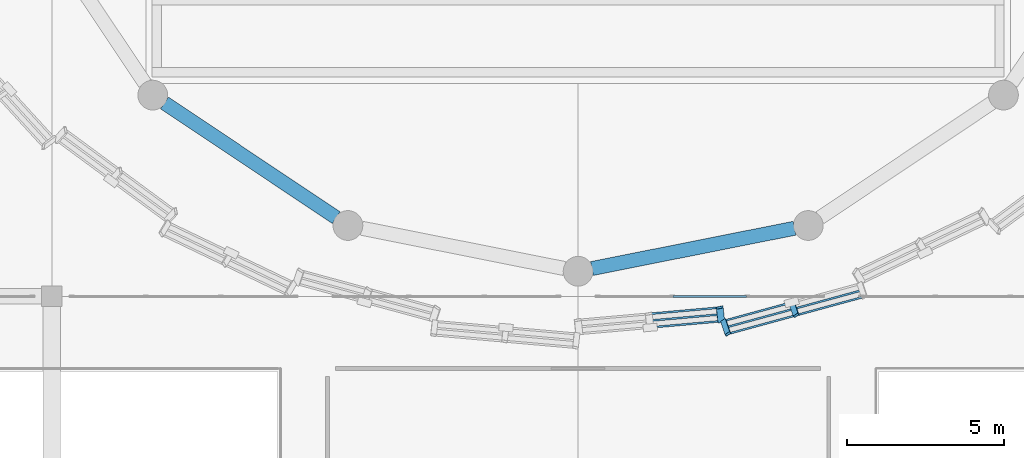
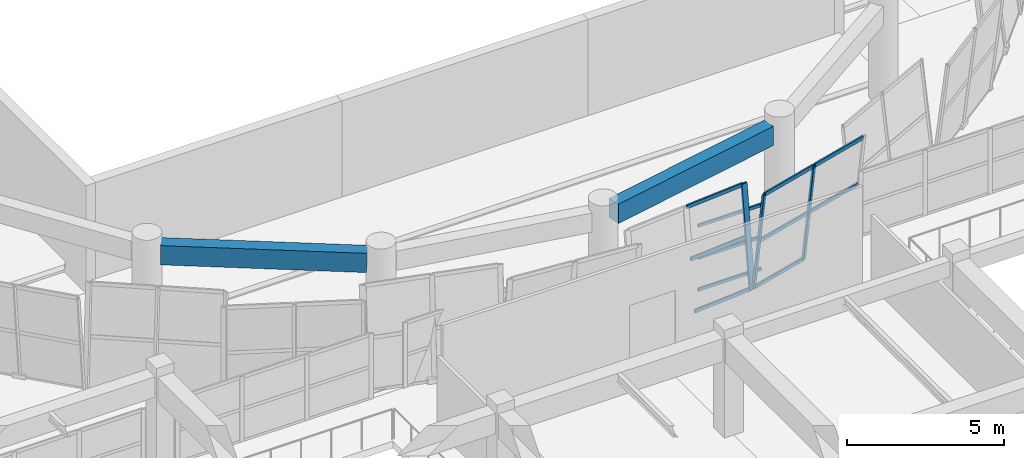
# One storey, part 25 of 71: 14 members, 2 beams, 3 elements without a shape of their own.
"""IFC4 building model written with IfcOpenShell, lengths in metres."""

from ifc_helpers import new_model, si_unit, direction, frame, origin, origin_2d, place, context, subcontext, project, spatial, rectangle, hollow_rectangle, extrude, material, material_profile, profile_set, type_object, element, aggregate, save


model = new_model("IFC4")

# Units and contexts
model_context = context("Model", 3, precision=1e-05, world=origin(), true_north=direction((0.0, 1.0)))
body_context = subcontext(model_context, "Body", "Model", "MODEL_VIEW")
ifc_project = project(units=[si_unit("LENGTHUNIT", "METRE"), si_unit("AREAUNIT", "SQUARE_METRE"), si_unit("VOLUMEUNIT", "CUBIC_METRE"), si_unit("PLANEANGLEUNIT", "RADIAN"), si_unit("MASSUNIT", "GRAM", prefix="KILO")], contexts=[model_context])

# Site, building, storey
site_placement = place(None, origin())
site = spatial("IfcSite", under=ifc_project, at=site_placement, CompositionType="ELEMENT")
building_placement = place(site_placement, origin())
building = spatial("IfcBuilding", under=site, at=building_placement, Name="Korsvaeld Concert Hall", CompositionType="ELEMENT")
storey_placement = place(building_placement, frame((0.0, 0.0, 4.800048828125)))
storey = spatial("IfcBuildingStorey", under=building, at=storey_placement, Name="L01", CompositionType="ELEMENT", Elevation=4.800048828125)

# Beams
ifc_material_1 = material(Name="Concrete C35/45", Category="concrete")
ifc_material_profile_1 = material_profile(ifc_material_1, rectangle(XDim=0.449951171875, YDim=0.75, at=origin_2d()), Name="RC 450x750")
ifc_profile_set_1 = profile_set([ifc_material_profile_1], Name="Concrete C35/45")
beam_type = type_object("IfcBeamType", Name="BM-RC-450x750", PredefinedType="T_BEAM", material=ifc_profile_set_1)
beam_1_placement = place(storey_placement, frame((70.797607421875, 49.37353515625, 3.46484375), z_axis=(0.831468624109, -0.555571711953, 0.0), x_axis=(0.555571711953, 0.831468624109, 0.0)))
element("IfcBeam", 1, at=beam_1_placement, inside=storey, type_object=beam_type, Name="Drum ring floor girder L01 11", PredefinedType="T_BEAM", context=body_context, shape_type="SweptSolid", body=[
    extrude(rectangle(XDim=0.449951171875, YDim=0.75, at=origin_2d()), origin(), (0.0, 0.0, 1.0), 6.591552734375),
])
beam_2_placement = place(storey_placement, frame((84.44140625, 44.087890625, 3.46484375), z_axis=(0.980785284484, 0.195090301499, 0.0), x_axis=(-0.195090301499, 0.980785284484, 0.0)))
element("IfcBeam", 2, at=beam_2_placement, inside=storey, type_object=beam_type, Name="Drum ring floor girder L01 13", PredefinedType="T_BEAM", context=body_context, shape_type="SweptSolid", body=[
    extrude(rectangle(XDim=0.449951171875, YDim=0.75, at=origin_2d()), origin(), (0.0, 0.0, 1.0), 6.59130859375),
])

# Curtain wall, members
ifc_material_2 = material(Name="Anodised bronze and ceramic-fritted safety glass", Category="glass")
curtain_wall_type_1 = type_object("IfcCurtainWallType", Name="CW-TYPE-02", PredefinedType="USERDEFINED", material=ifc_material_2)
curtain_wall_1_placement = place(storey_placement, origin())
curtain_wall_1 = element("IfcCurtainWall", 3, at=curtain_wall_1_placement, inside=storey, type_object=curtain_wall_type_1, Name="Crystal curtain-wall facet L01 F26", ObjectType="CURTAIN WALL", PredefinedType="USERDEFINED")
ifc_material_3 = material(Name="Anodised architectural bronze aluminium", Category="aluminium")
ifc_material_profile_2 = material_profile(ifc_material_3, hollow_rectangle(XDim=0.074951171875, YDim=0.179931640625, WallThickness=0.0048828125, at=origin_2d()), Name="CWM 180x75x5")
ifc_profile_set_2 = profile_set([ifc_material_profile_2], Name="Anodised architectural bronze aluminium")
member_type_1 = type_object("IfcMemberType", Name="CWM-BRONZE-180x75", PredefinedType="MULLION", material=ifc_profile_set_2)
member_1_placement = place(storey_placement, frame((88.640380859375, 42.417236328125, 0.0), z_axis=(0.036199370674, -0.107222660976, 0.993575818212), x_axis=(-0.55573373549, 0.824159071594, 0.109187178494)))
member_1 = element("IfcMember", 4, at=member_1_placement, type_object=member_type_1, Name="CW-CRYS-L01-F26 crystal mullion 1", PredefinedType="MULLION", context=body_context, shape_type="SweptSolid", body=[
    extrude(hollow_rectangle(XDim=0.074951171875, YDim=0.179931640625, WallThickness=0.0048828125, at=origin_2d()), origin(), (0.0, 0.0, 1.0), 3.905029296875),
])
member_2_placement = place(storey_placement, frame((90.817626953125, 43.010498046875, 0.0), z_axis=(0.036261809037, -0.107222418101, 0.993573567614), x_axis=(-0.556164276889, 0.823866065586, 0.109206241069)))
member_2 = element("IfcMember", 5, at=member_2_placement, type_object=member_type_1, Name="CW-CRYS-L01-F26 crystal mullion 2", PredefinedType="MULLION", context=body_context, shape_type="SweptSolid", body=[
    extrude(hollow_rectangle(XDim=0.074951171875, YDim=0.179931640625, WallThickness=0.0048828125, at=origin_2d()), origin(), (0.0, 0.0, 1.0), 3.905029296875),
])

# Curtain wall, member
curtain_wall_type_2 = type_object("IfcCurtainWallType", Name="CW-TYPE-01", PredefinedType="USERDEFINED", material=ifc_material_2)
curtain_wall_2_placement = place(storey_placement, origin())
curtain_wall_2 = element("IfcCurtainWall", 6, at=curtain_wall_2_placement, inside=storey, type_object=curtain_wall_type_2, Name="Crystal curtain-wall facet L01 F25", ObjectType="CURTAIN WALL", PredefinedType="USERDEFINED")
ifc_material_profile_3 = material_profile(ifc_material_3, hollow_rectangle(XDim=0.074951171875, YDim=0.219970703125, WallThickness=0.006103515625, at=origin_2d()), Name="CWM 220x75x6")
ifc_profile_set_3 = profile_set([ifc_material_profile_3], Name="Anodised architectural bronze aluminium")
member_type_2 = type_object("IfcMemberType", Name="CWM-BRONZE-220x75", PredefinedType="MULLION", material=ifc_profile_set_3)
member_3_placement = place(storey_placement, frame((88.566650390625, 42.404052734375, 0.0), z_axis=(-0.0123164825, 0.112536388326, 0.993571268486), x_axis=(0.195293442092, -0.974240168355, 0.11276775177)))
member_3 = element("IfcMember", 7, at=member_3_placement, type_object=member_type_2, Name="CW-CRYS-L01-F25 crystal mullion 3", PredefinedType="MULLION", context=body_context, shape_type="SweptSolid", body=[
    extrude(hollow_rectangle(XDim=0.074951171875, YDim=0.219970703125, WallThickness=0.006103515625, at=origin_2d()), origin(), (0.0, 0.0, 1.0), 3.905029296875),
])

# Curtain wall, members
curtain_wall_type_3 = type_object("IfcCurtainWallType", Name="CW-TYPE-12", PredefinedType="USERDEFINED", material=ifc_material_2)
curtain_wall_3_placement = place(storey_placement, origin())
curtain_wall_3 = element("IfcCurtainWall", 8, at=curtain_wall_3_placement, inside=storey, type_object=curtain_wall_type_3, Name="Glazed foyer acoustic screen L01-28", ObjectType="CURTAIN WALL", PredefinedType="USERDEFINED")
ifc_material_profile_4 = material_profile(ifc_material_3, hollow_rectangle(XDim=0.06005859375, YDim=0.1201171875, WallThickness=0.00390625, at=origin_2d()), Name="CWT 120x60x4")
ifc_profile_set_4 = profile_set([ifc_material_profile_4], Name="Anodised architectural bronze aluminium")
member_type_3 = type_object("IfcMemberType", Name="CWT-ALUM-120x60", PredefinedType="USERDEFINED", material=ifc_profile_set_4)
member_4_placement = place(storey_placement, frame((87.030029296875, 43.199951171875, 0.030029296875), z_axis=(1.0, 0.0, 0.0), x_axis=(0.0, 1.0, 0.0)))
member_4 = element("IfcMember", 9, at=member_4_placement, type_object=member_type_3, Name="CW-12 transom 2.1", ObjectType="TRANSOM", PredefinedType="USERDEFINED", context=body_context, shape_type="SweptSolid", body=[
    extrude(hollow_rectangle(XDim=0.06005859375, YDim=0.1201171875, WallThickness=0.00390625, at=origin_2d()), origin(), (0.0, 0.0, 1.0), 2.340087890625),
])
member_5_placement = place(storey_placement, frame((87.030029296875, 43.199951171875, 1.27490234375), z_axis=(1.0, 0.0, 0.0), x_axis=(0.0, 1.0, 0.0)))
member_5 = element("IfcMember", 10, at=member_5_placement, type_object=member_type_3, Name="CW-12 transom 2.2", ObjectType="TRANSOM", PredefinedType="USERDEFINED", context=body_context, shape_type="SweptSolid", body=[
    extrude(hollow_rectangle(XDim=0.06005859375, YDim=0.1201171875, WallThickness=0.00390625, at=origin_2d()), origin(), (0.0, 0.0, 1.0), 2.340087890625),
])
member_6_placement = place(storey_placement, frame((87.030029296875, 43.199951171875, 2.52001953125), z_axis=(1.0, 0.0, 0.0), x_axis=(0.0, 1.0, 0.0)))
member_6 = element("IfcMember", 11, at=member_6_placement, type_object=member_type_3, Name="CW-12 transom 2.3", ObjectType="TRANSOM", PredefinedType="USERDEFINED", context=body_context, shape_type="SweptSolid", body=[
    extrude(hollow_rectangle(XDim=0.06005859375, YDim=0.1201171875, WallThickness=0.00390625, at=origin_2d()), origin(), (0.0, 0.0, 1.0), 2.340087890625),
])
aggregate(curtain_wall_3, [member_4, member_5, member_6])

# Member
ifc_material_profile_5 = material_profile(ifc_material_3, hollow_rectangle(XDim=0.06005859375, YDim=0.139892578125, WallThickness=0.00390625, at=origin_2d()), Name="CWT 140x60x4")
ifc_profile_set_5 = profile_set([ifc_material_profile_5], Name="Anodised architectural bronze aluminium")
member_type_4 = type_object("IfcMemberType", Name="CWT-BRONZE-140x60", PredefinedType="USERDEFINED", material=ifc_profile_set_5)
member_7_placement = place(storey_placement, frame((86.339111328125, 42.21044921875, 0.030029296875), z_axis=(0.996105218313, 0.088172524341, 0.0), x_axis=(-0.088172524341, 0.996105218313, 0.0)))
member_7 = element("IfcMember", 12, at=member_7_placement, type_object=member_type_4, Name="CW-CRYS-L01-F25 crystal transom 2.1", ObjectType="TRANSOM", PredefinedType="USERDEFINED", context=body_context, shape_type="SweptSolid", body=[
    extrude(hollow_rectangle(XDim=0.06005859375, YDim=0.139892578125, WallThickness=0.00390625, at=origin_2d()), origin(), (0.0, 0.0, 1.0), 2.198486328125),
])

member_8_placement = place(storey_placement, frame((86.3154296875, 42.4267578125, 1.93994140625), z_axis=(0.996105218313, 0.088172524341, 0.0), x_axis=(-0.088172524341, 0.996105218313, 0.0)))
member_8 = element("IfcMember", 13, at=member_8_placement, type_object=member_type_4, Name="CW-CRYS-L01-F25 crystal transom 2.2", ObjectType="TRANSOM", PredefinedType="USERDEFINED", context=body_context, shape_type="SweptSolid", body=[
    extrude(hollow_rectangle(XDim=0.06005859375, YDim=0.139892578125, WallThickness=0.00390625, at=origin_2d()), origin(), (0.0, 0.0, 1.0), 2.198486328125),
])

member_9_placement = place(storey_placement, frame((86.29150390625, 42.64306640625, 3.849853515625), z_axis=(0.996106081505, 0.088162772123, 0.0), x_axis=(-0.088162772123, 0.996106081505, 0.0)))
member_9 = element("IfcMember", 14, at=member_9_placement, type_object=member_type_4, Name="CW-CRYS-L01-F25 crystal transom 2.3", ObjectType="TRANSOM", PredefinedType="USERDEFINED", context=body_context, shape_type="SweptSolid", body=[
    extrude(hollow_rectangle(XDim=0.06005859375, YDim=0.139892578125, WallThickness=0.00390625, at=origin_2d()), origin(), (0.0, 0.0, 1.0), 2.19873046875),
])

aggregate(curtain_wall_2, [member_3, member_7, member_8, member_9])

member_10_placement = place(storey_placement, frame((88.677490234375, 42.423828125, 0.030029296875), z_axis=(0.964812863187, 0.26293751925, 0.0), x_axis=(-0.26293751925, 0.964812863187, 0.0)))
member_10 = element("IfcMember", 15, at=member_10_placement, type_object=member_type_4, Name="CW-CRYS-L01-F26 crystal transom 1.1", ObjectType="TRANSOM", PredefinedType="USERDEFINED", context=body_context, shape_type="SweptSolid", body=[
    extrude(hollow_rectangle(XDim=0.06005859375, YDim=0.139892578125, WallThickness=0.00390625, at=origin_2d()), origin(), (0.0, 0.0, 1.0), 2.181884765625),
])

member_11_placement = place(storey_placement, frame((88.7470703125, 42.2177734375, 1.93994140625), z_axis=(0.964841242841, 0.262833361873, 0.0), x_axis=(-0.262833361873, 0.964841242841, 0.0)))
member_11 = element("IfcMember", 16, at=member_11_placement, type_object=member_type_4, Name="CW-CRYS-L01-F26 crystal transom 1.2", ObjectType="TRANSOM", PredefinedType="USERDEFINED", context=body_context, shape_type="SweptSolid", body=[
    extrude(hollow_rectangle(XDim=0.06005859375, YDim=0.139892578125, WallThickness=0.00390625, at=origin_2d()), origin(), (0.0, 0.0, 1.0), 2.181884765625),
])

member_12_placement = place(storey_placement, frame((88.81689453125, 42.011474609375, 3.849853515625), z_axis=(0.964805126409, 0.262965906641, 0.0), x_axis=(-0.262965906641, 0.964805126409, 0.0)))
member_12 = element("IfcMember", 17, at=member_12_placement, type_object=member_type_4, Name="CW-CRYS-L01-F26 crystal transom 1.3", ObjectType="TRANSOM", PredefinedType="USERDEFINED", context=body_context, shape_type="SweptSolid", body=[
    extrude(hollow_rectangle(XDim=0.06005859375, YDim=0.139892578125, WallThickness=0.00390625, at=origin_2d()), origin(), (0.0, 0.0, 1.0), 2.181884765625),
])

member_13_placement = place(storey_placement, frame((90.924560546875, 42.81103515625, 1.93994140625), z_axis=(0.964805126409, 0.262965906641, 0.0), x_axis=(-0.262965906641, 0.964805126409, 0.0)))
member_13 = element("IfcMember", 18, at=member_13_placement, type_object=member_type_4, Name="CW-CRYS-L01-F26 crystal transom 2.2", ObjectType="TRANSOM", PredefinedType="USERDEFINED", context=body_context, shape_type="SweptSolid", body=[
    extrude(hollow_rectangle(XDim=0.06005859375, YDim=0.139892578125, WallThickness=0.00390625, at=origin_2d()), origin(), (0.0, 0.0, 1.0), 2.181884765625),
])

member_14_placement = place(storey_placement, frame((90.994140625, 42.60498046875, 3.849853515625), z_axis=(0.964841242841, 0.262833361873, 0.0), x_axis=(-0.262833361873, 0.964841242841, 0.0)))
member_14 = element("IfcMember", 19, at=member_14_placement, type_object=member_type_4, Name="CW-CRYS-L01-F26 crystal transom 2.3", ObjectType="TRANSOM", PredefinedType="USERDEFINED", context=body_context, shape_type="SweptSolid", body=[
    extrude(hollow_rectangle(XDim=0.06005859375, YDim=0.139892578125, WallThickness=0.00390625, at=origin_2d()), origin(), (0.0, 0.0, 1.0), 2.181884765625),
])

aggregate(curtain_wall_1, [member_1, member_2, member_10, member_11, member_12, member_13, member_14])

save(model, "model.ifc")
